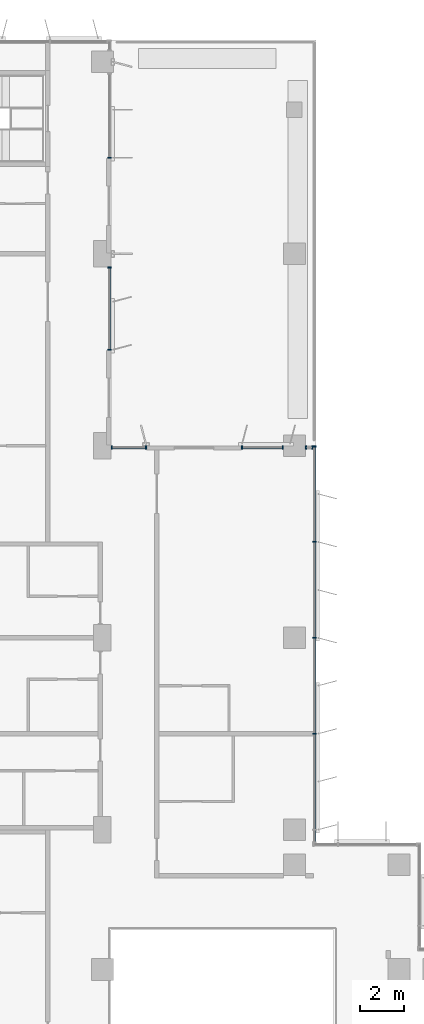
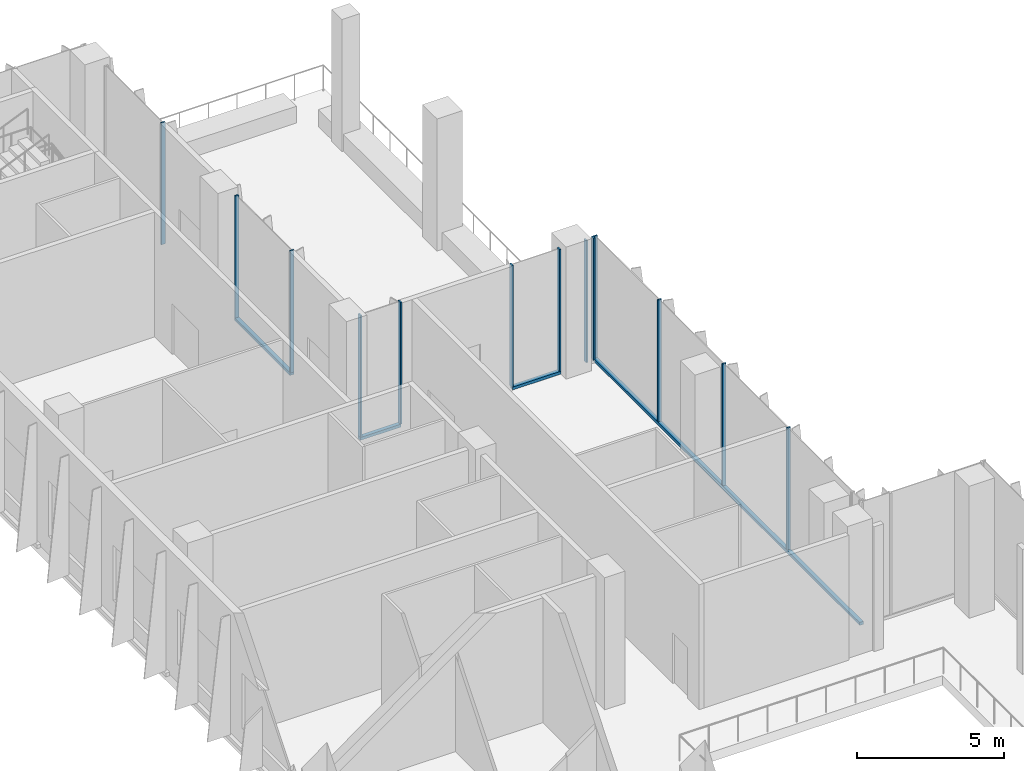
# One storey, part 5 of 24: 17 members, 6 elements without a shape of their own.
"""IFC4 building model written with IfcOpenShell, lengths in metres."""

from ifc_helpers import new_model, si_unit, direction, frame, origin, origin_2d, place, context, subcontext, project, spatial, rectangle, extrude, source, transform, mapped, material, material_profile, profile_set, type_object, element, aggregate, save


model = new_model("IFC4")

# Units and contexts
model_context = context("Model", 3, precision=1e-05, world=origin(), true_north=direction((0.0, 1.0)))
body_context = subcontext(model_context, "Body", "Model", "MODEL_VIEW")
ifc_project = project(units=[si_unit("LENGTHUNIT", "METRE"), si_unit("AREAUNIT", "SQUARE_METRE"), si_unit("VOLUMEUNIT", "CUBIC_METRE"), si_unit("PLANEANGLEUNIT", "RADIAN"), si_unit("MASSUNIT", "GRAM", prefix="KILO")], contexts=[model_context])

# Site, building, storey
site_placement = place(None, origin())
site = spatial("IfcSite", under=ifc_project, at=site_placement, CompositionType="ELEMENT")
building_placement = place(site_placement, origin())
building = spatial("IfcBuilding", under=site, at=building_placement, Name="Kemantara Hotel Tower", CompositionType="ELEMENT")
storey_placement = place(building_placement, frame((0.0, 0.0, 202.5)))
storey = spatial("IfcBuildingStorey", under=building, at=storey_placement, Name="L50", CompositionType="ELEMENT", Elevation=202.5)

# Curtain wall, member
ifc_material_1 = material(Name="Toughened tinted glass 32 mm", Category="glass")
curtain_wall_type_1 = type_object("IfcCurtainWallType", Name="TERRACE GLAZING WALL", PredefinedType="USERDEFINED", material=ifc_material_1)
curtain_wall_1_placement = place(storey_placement, origin())
curtain_wall_1 = element("IfcCurtainWall", 1, at=curtain_wall_1_placement, inside=storey, type_object=curtain_wall_type_1, Name="CW6 L50 T3S-R01-2", ObjectType="TERRACE GLAZING WALL", PredefinedType="USERDEFINED")
ifc_material_2 = material(Name="Aluminium 6063-T6 bronze anodised", Category="aluminium")
ifc_material_profile_1 = material_profile(ifc_material_2, rectangle(XDim=0.14990234375, YDim=0.1201171875, at=origin_2d()), Name="TERRACE GLAZING WALL TRANSOM")
ifc_profile_set_1 = profile_set([ifc_material_profile_1], Name="Aluminium 6063-T6 bronze anodised")
member_type_1 = type_object("IfcMemberType", Name="TERRACE GLAZING WALL TRANSOM", PredefinedType="USERDEFINED", material=ifc_profile_set_1)
member_1_placement = place(storey_placement, frame((20.5, 44.925048828125, 0.06005859375), z_axis=(-1.0, 0.0, 0.0), x_axis=(0.0, -1.0, 0.0)))
member_1 = element("IfcMember", 2, at=member_1_placement, type_object=member_type_1, Name="CW6 sill transom T3S-R01-2", ObjectType="TRANSOM", PredefinedType="USERDEFINED", context=body_context, shape_type="SweptSolid", body=[
    extrude(rectangle(XDim=0.14990234375, YDim=0.1201171875, at=origin_2d()), origin(), (0.0, 0.0, 1.0), 1.89990234375),
])

curtain_wall_2_placement = place(storey_placement, origin())
curtain_wall_2 = element("IfcCurtainWall", 3, at=curtain_wall_2_placement, inside=storey, type_object=curtain_wall_type_1, Name="CW6 L50 T3S-R01-3", ObjectType="TERRACE GLAZING WALL", PredefinedType="USERDEFINED")
member_2_placement = place(storey_placement, frame((14.199951171875, 44.925048828125, 0.06005859375), z_axis=(-1.0, 0.0, 0.0), x_axis=(0.0, -1.0, 0.0)))
member_2 = element("IfcMember", 4, at=member_2_placement, type_object=member_type_1, Name="CW6 sill transom T3S-R01-3", ObjectType="TRANSOM", PredefinedType="USERDEFINED", context=body_context, shape_type="SweptSolid", body=[
    extrude(rectangle(XDim=0.14990234375, YDim=0.1201171875, at=origin_2d()), origin(), (0.0, 0.0, 1.0), 1.599853515625),
])

curtain_wall_3_placement = place(storey_placement, origin())
curtain_wall_3 = element("IfcCurtainWall", 5, at=curtain_wall_3_placement, inside=storey, type_object=curtain_wall_type_1, Name="CW6 L50 T3S-R02-1", ObjectType="TERRACE GLAZING WALL", PredefinedType="USERDEFINED")
member_3_placement = place(storey_placement, frame((12.52490234375, 49.39990234375, 0.06005859375), z_axis=(0.0, 1.0, 0.0), x_axis=(-1.0, 0.0, 0.0)))
member_3 = element("IfcMember", 6, at=member_3_placement, type_object=member_type_1, Name="CW6 sill transom T3S-R02-1", ObjectType="TRANSOM", PredefinedType="USERDEFINED", context=body_context, shape_type="SweptSolid", body=[
    extrude(rectangle(XDim=0.14990234375, YDim=0.1201171875, at=origin_2d()), origin(), (0.0, 0.0, 1.0), 3.800048828125),
])

# Curtain wall, members
ifc_material_3 = material(Name="Low-E tinted double insulated glass 36 mm", Category="glass")
curtain_wall_type_2 = type_object("IfcCurtainWallType", Name="TOWER CURTAIN WALL, FRONT FACES", PredefinedType="USERDEFINED", material=ifc_material_3)
curtain_wall_4_placement = place(storey_placement, origin())
curtain_wall_4 = element("IfcCurtainWall", 7, at=curtain_wall_4_placement, inside=storey, type_object=curtain_wall_type_2, Name="CW4 L50 T3S-R00-1", ObjectType="TOWER CURTAIN WALL, FRONT FACES", PredefinedType="USERDEFINED")
ifc_material_profile_2 = material_profile(ifc_material_2, rectangle(XDim=0.14990234375, YDim=0.1201171875, at=origin_2d()), Name="TOWER CURTAIN WALL, FRONT FACES TRANSOM")
ifc_profile_set_2 = profile_set([ifc_material_profile_2], Name="Aluminium 6063-T6 bronze anodised")
member_type_2 = type_object("IfcMemberType", Name="TOWER CURTAIN WALL, FRONT FACES TRANSOM", PredefinedType="USERDEFINED", material=ifc_profile_set_2)
member_4_placement = place(storey_placement, frame((21.925048828125, 26.800048828125, 0.06005859375), z_axis=(0.0, 1.0, 0.0), x_axis=(-1.0, 0.0, 0.0)))
member_4 = element("IfcMember", 8, at=member_4_placement, type_object=member_type_2, Name="CW4 sill transom T3S-R00-1", ObjectType="TRANSOM", PredefinedType="USERDEFINED", context=body_context, shape_type="SweptSolid", body=[
    extrude(rectangle(XDim=0.14990234375, YDim=0.1201171875, at=origin_2d()), origin(), (0.0, 0.0, 1.0), 18.199951171875),
])
ifc_material_profile_3 = material_profile(ifc_material_2, rectangle(XDim=0.14990234375, YDim=0.06005859375, at=origin_2d()), Name="TOWER CURTAIN WALL, FRONT FACES MULLION")
ifc_profile_set_3 = profile_set([ifc_material_profile_3], Name="Aluminium 6063-T6 bronze anodised")
member_type_3 = type_object("IfcMemberType", Name="TOWER CURTAIN WALL, FRONT FACES MULLION", PredefinedType="MULLION", material=ifc_profile_set_3)
shared_shape_1 = source(origin(), body_context, "Body", "SweptSolid", [
    extrude(rectangle(XDim=0.14990234375, YDim=0.06005859375, at=origin_2d()), origin(), (0.0, 0.0, 1.0), 5.079833984375),
])
member_5_placement = place(storey_placement, frame((21.925048828125, 31.800048828125, 0.1201171875), z_axis=(0.0, 0.0, 1.0), x_axis=(-1.0, 0.0, 0.0)))
member_5 = element("IfcMember", 9, at=member_5_placement, type_object=member_type_3, Name="CW4 mullion T3S-R00-1.3", PredefinedType="MULLION", context=body_context, shape_type="MappedRepresentation", body=[
    mapped(shared_shape_1, transform((0.0, 0.0, 0.0))),
])
member_6_placement = place(storey_placement, frame((21.925048828125, 36.199951171875, 0.1201171875), z_axis=(0.0, 0.0, 1.0), x_axis=(-1.0, 0.0, 0.0)))
member_6 = element("IfcMember", 10, at=member_6_placement, type_object=member_type_3, Name="CW4 mullion T3S-R00-1.4", PredefinedType="MULLION", context=body_context, shape_type="MappedRepresentation", body=[
    mapped(shared_shape_1, transform((0.0, 0.0, 0.0))),
])
member_7_placement = place(storey_placement, frame((21.925048828125, 40.60009765625, 0.1201171875), z_axis=(0.0, 0.0, 1.0), x_axis=(-1.0, 0.0, 0.0)))
member_7 = element("IfcMember", 11, at=member_7_placement, type_object=member_type_3, Name="CW4 mullion T3S-R00-1.5", PredefinedType="MULLION", context=body_context, shape_type="MappedRepresentation", body=[
    mapped(shared_shape_1, transform((0.0, 0.0, 0.0))),
])
member_8_placement = place(storey_placement, frame((21.925048828125, 44.969970703125, 0.1201171875), z_axis=(0.0, 0.0, 1.0), x_axis=(-1.0, 0.0, 0.0)))
member_8 = element("IfcMember", 12, at=member_8_placement, type_object=member_type_3, Name="CW4 mullion T3S-R00-1.6", PredefinedType="MULLION", context=body_context, shape_type="MappedRepresentation", body=[
    mapped(shared_shape_1, transform((0.0, 0.0, 0.0))),
])
aggregate(curtain_wall_4, [member_4, member_5, member_6, member_7, member_8])

curtain_wall_5_placement = place(storey_placement, origin())
curtain_wall_5 = element("IfcCurtainWall", 13, at=curtain_wall_5_placement, inside=storey, type_object=curtain_wall_type_2, Name="CW4 L50 T3S-R01-1", ObjectType="TOWER CURTAIN WALL, FRONT FACES", PredefinedType="USERDEFINED")
member_9_placement = place(storey_placement, frame((21.820068359375, 44.925048828125, 0.1201171875), z_axis=(0.0, 0.0, 1.0), x_axis=(0.0, -1.0, 0.0)))
member_9 = element("IfcMember", 14, at=member_9_placement, type_object=member_type_3, Name="CW4 mullion T3S-R01-1.1", PredefinedType="MULLION", context=body_context, shape_type="MappedRepresentation", body=[
    mapped(shared_shape_1, transform((0.0, 0.0, 0.0))),
])
member_10_placement = place(storey_placement, frame((21.530029296875, 44.925048828125, 0.1201171875), z_axis=(0.0, 0.0, 1.0), x_axis=(0.0, -1.0, 0.0)))
member_10 = element("IfcMember", 15, at=member_10_placement, type_object=member_type_3, Name="CW4 mullion T3S-R01-1.2", PredefinedType="MULLION", context=body_context, shape_type="MappedRepresentation", body=[
    mapped(shared_shape_1, transform((0.0, 0.0, 0.0))),
])
aggregate(curtain_wall_5, [member_9, member_10])

# Member
ifc_material_profile_4 = material_profile(ifc_material_2, rectangle(XDim=0.14990234375, YDim=0.06005859375, at=origin_2d()), Name="TERRACE GLAZING WALL MULLION")
ifc_profile_set_4 = profile_set([ifc_material_profile_4], Name="Aluminium 6063-T6 bronze anodised")
member_type_4 = type_object("IfcMemberType", Name="TERRACE GLAZING WALL MULLION", PredefinedType="MULLION", material=ifc_profile_set_4)
shared_shape_2 = source(origin(), body_context, "Body", "SweptSolid", [
    extrude(rectangle(XDim=0.14990234375, YDim=0.06005859375, at=origin_2d()), origin(), (0.0, 0.0, 1.0), 5.079833984375),
])
member_11_placement = place(storey_placement, frame((20.469970703125, 44.925048828125, 0.1201171875), z_axis=(0.0, 0.0, 1.0), x_axis=(0.0, -1.0, 0.0)))
member_11 = element("IfcMember", 16, at=member_11_placement, type_object=member_type_4, Name="CW6 mullion T3S-R01-2.1", PredefinedType="MULLION", context=body_context, shape_type="MappedRepresentation", body=[
    mapped(shared_shape_2, transform((0.0, 0.0, 0.0))),
])

member_12_placement = place(storey_placement, frame((18.60009765625, 44.925048828125, 0.1201171875), z_axis=(0.0, 0.0, 1.0), x_axis=(0.0, -1.0, 0.0)))
member_12 = element("IfcMember", 17, at=member_12_placement, type_object=member_type_4, Name="CW6 mullion T3S-R01-2.2", PredefinedType="MULLION", context=body_context, shape_type="MappedRepresentation", body=[
    mapped(shared_shape_2, transform((0.0, 0.0, 0.0))),
])

aggregate(curtain_wall_1, [member_1, member_11, member_12])

member_13_placement = place(storey_placement, frame((14.199951171875, 44.925048828125, 0.1201171875), z_axis=(0.0, 0.0, 1.0), x_axis=(0.0, -1.0, 0.0)))
member_13 = element("IfcMember", 18, at=member_13_placement, type_object=member_type_4, Name="CW6 mullion T3S-R01-3.1", PredefinedType="MULLION", context=body_context, shape_type="MappedRepresentation", body=[
    mapped(shared_shape_2, transform((0.0, 0.0, 0.0))),
])

member_14_placement = place(storey_placement, frame((12.6298828125, 44.925048828125, 0.1201171875), z_axis=(0.0, 0.0, 1.0), x_axis=(0.0, -1.0, 0.0)))
member_14 = element("IfcMember", 19, at=member_14_placement, type_object=member_type_4, Name="CW6 mullion T3S-R01-3.2", PredefinedType="MULLION", context=body_context, shape_type="MappedRepresentation", body=[
    mapped(shared_shape_2, transform((0.0, 0.0, 0.0))),
])

aggregate(curtain_wall_2, [member_2, member_13, member_14])

member_15_placement = place(storey_placement, frame((12.52490234375, 49.39990234375, 0.1201171875), z_axis=(0.0, 0.0, 1.0), x_axis=(-1.0, 0.0, 0.0)))
member_15 = element("IfcMember", 20, at=member_15_placement, type_object=member_type_4, Name="CW6 mullion T3S-R02-1.1", PredefinedType="MULLION", context=body_context, shape_type="MappedRepresentation", body=[
    mapped(shared_shape_2, transform((0.0, 0.0, 0.0))),
])

member_16_placement = place(storey_placement, frame((12.52490234375, 53.169921875, 0.1201171875), z_axis=(0.0, 0.0, 1.0), x_axis=(-1.0, 0.0, 0.0)))
member_16 = element("IfcMember", 21, at=member_16_placement, type_object=member_type_4, Name="CW6 mullion T3S-R02-1.2", PredefinedType="MULLION", context=body_context, shape_type="MappedRepresentation", body=[
    mapped(shared_shape_2, transform((0.0, 0.0, 0.0))),
])

aggregate(curtain_wall_3, [member_3, member_15, member_16])

# Curtain wall, member
curtain_wall_6_placement = place(storey_placement, origin())
curtain_wall_6 = element("IfcCurtainWall", 22, at=curtain_wall_6_placement, inside=storey, type_object=curtain_wall_type_1, Name="CW6 L50 T3S-R02-2", ObjectType="TERRACE GLAZING WALL", PredefinedType="USERDEFINED")
member_17_placement = place(storey_placement, frame((12.52490234375, 58.199951171875, 0.1201171875), z_axis=(0.0, 0.0, 1.0), x_axis=(-1.0, 0.0, 0.0)))
member_17 = element("IfcMember", 23, at=member_17_placement, type_object=member_type_4, Name="CW6 mullion T3S-R02-2.1", PredefinedType="MULLION", context=body_context, shape_type="MappedRepresentation", body=[
    mapped(shared_shape_2, transform((0.0, 0.0, 0.0))),
])
aggregate(curtain_wall_6, [member_17])

save(model, "model.ifc")
